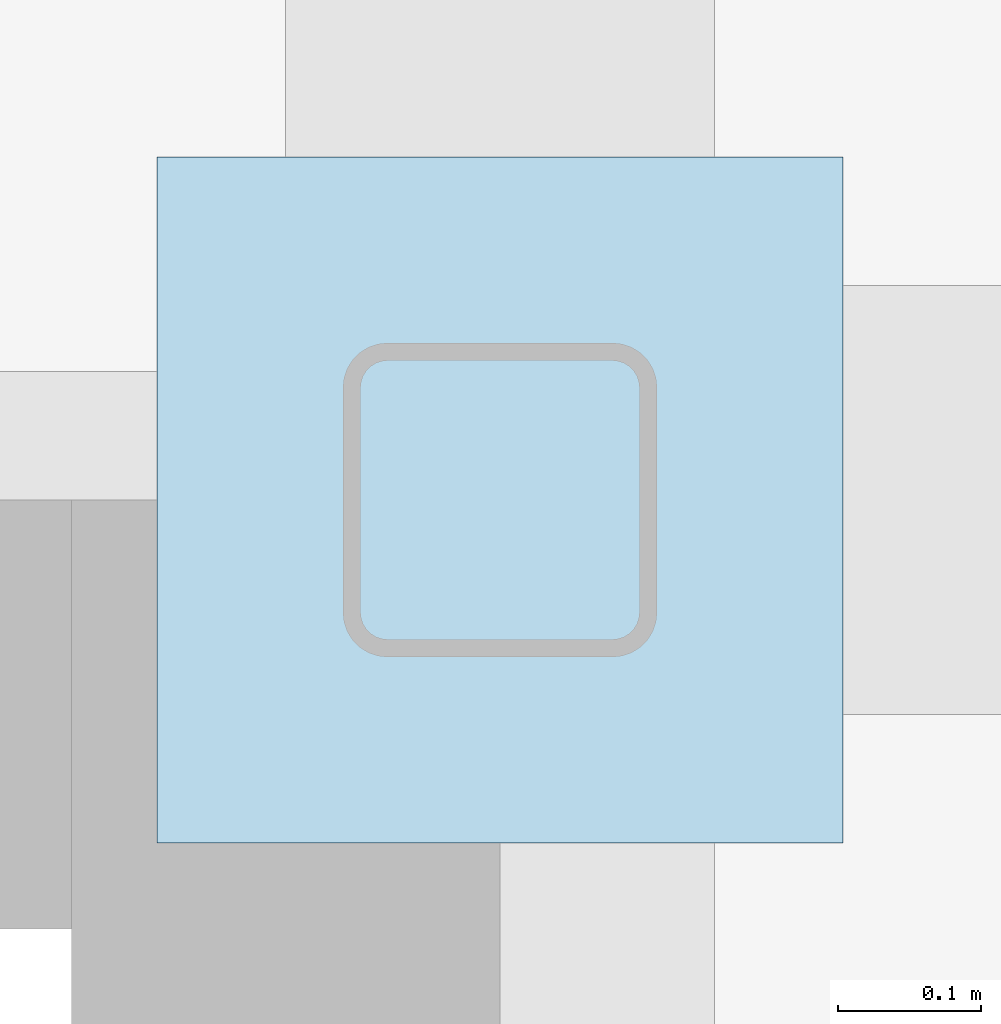
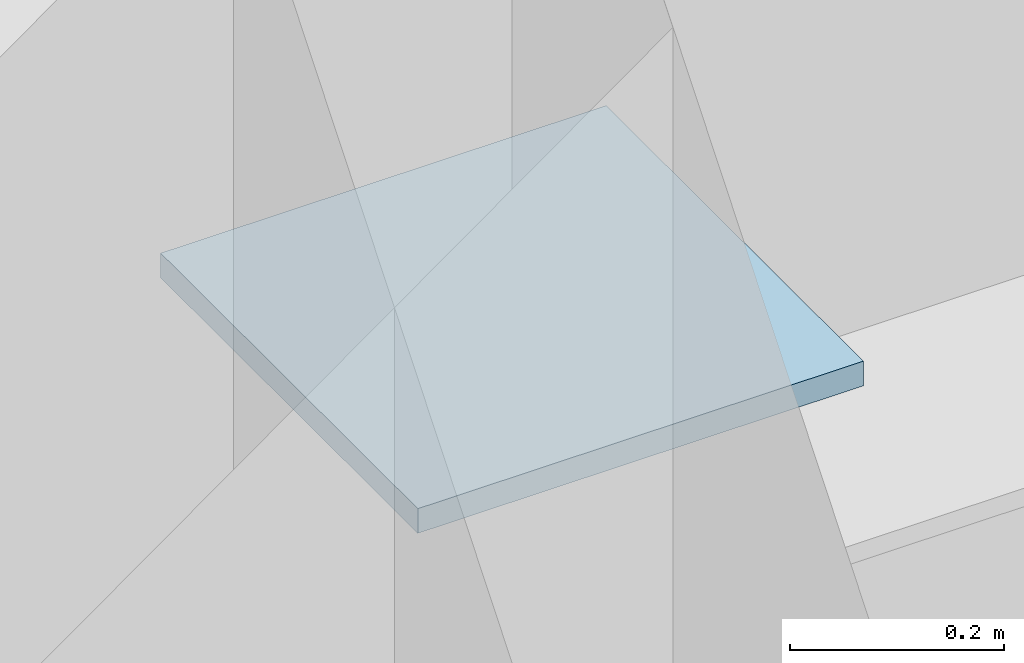
# One storey, part 35 of 58: 1 plate.
"""IFC4 building model written with IfcOpenShell, lengths in metres."""

from ifc_helpers import new_model, si_unit, derived_unit, direction, frame, origin, origin_2d, place, context, subcontext, project, spatial, rectangle, extrude, material, layer, layer_set, type_object, element, save


model = new_model("IFC4")

# Units and contexts
model_context = context("Model", 3, precision=1e-05, world=origin(), true_north=direction((0.0, 1.0)))
body_context = subcontext(model_context, "Body", "Model", "MODEL_VIEW")
ifc_project = project(units=[si_unit("LENGTHUNIT", "METRE"), si_unit("AREAUNIT", "SQUARE_METRE"), si_unit("VOLUMEUNIT", "CUBIC_METRE"), si_unit("PLANEANGLEUNIT", "RADIAN"), si_unit("MASSUNIT", "GRAM", prefix="KILO"), derived_unit("THERMALTRANSMITTANCEUNIT", [(si_unit("POWERUNIT", "WATT"), 1), (si_unit("AREAUNIT", "SQUARE_METRE"), -1), (si_unit("THERMODYNAMICTEMPERATUREUNIT", "KELVIN"), -1)])], contexts=[model_context])

# Site, building, storey
site_placement = place(None, origin())
site = spatial("IfcSite", under=ifc_project, at=site_placement, CompositionType="ELEMENT")
building_placement = place(site_placement, origin())
building = spatial("IfcBuilding", under=site, at=building_placement, Name="Yasenodar Specialist Clinic", CompositionType="ELEMENT")
storey_placement = place(building_placement, frame((0.0, 0.0, 21.300048828125)))
storey = spatial("IfcBuildingStorey", under=building, at=storey_placement, Name="L05", CompositionType="ELEMENT", Elevation=21.300048828125)

# Plate
ifc_material = material(Name="Steel S355", Category="steel")
ifc_layer = layer(ifc_material, 0.028076171875)
ifc_layer_set = layer_set([ifc_layer], Name="Steel S355")
plate_type = type_object("IfcPlateType", Name="PL-STEEL-06", PredefinedType="USERDEFINED", material=ifc_layer_set)
plate_placement = place(storey_placement, frame((8.39990234375, 42.800048828125, 4.0498046875), z_axis=(0.0, 0.0, 1.0), x_axis=(1.0, 0.0, 0.0)))
element("IfcPlate", 1, at=plate_placement, inside=storey, type_object=plate_type, Name="L05 Hollow Column Top Cap Plate 003", ObjectType="CAP_PLATE", PredefinedType="USERDEFINED", context=body_context, shape_type="SweptSolid", body=[
    extrude(rectangle(XDim=0.47998046875, YDim=0.47998046875, at=origin_2d()), origin(), (0.0, 0.0, 1.0), 0.028076171875),
])

save(model, "model.ifc")
